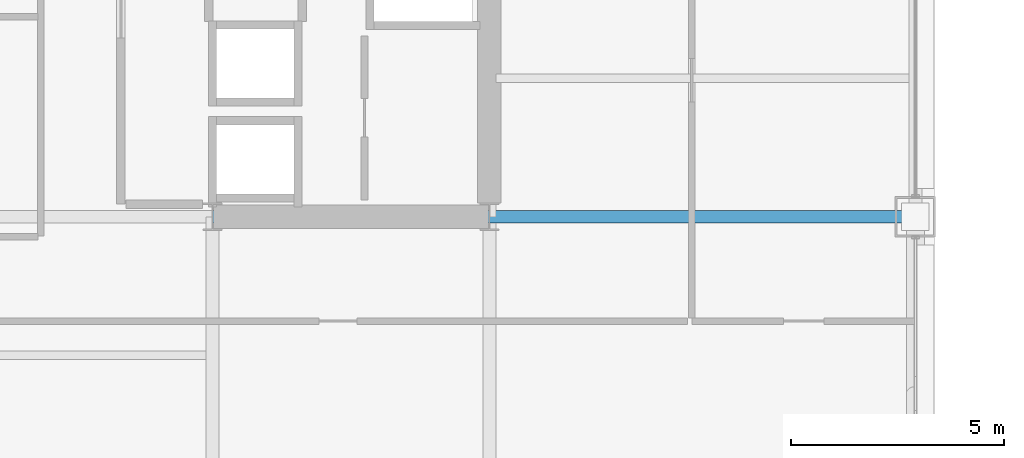
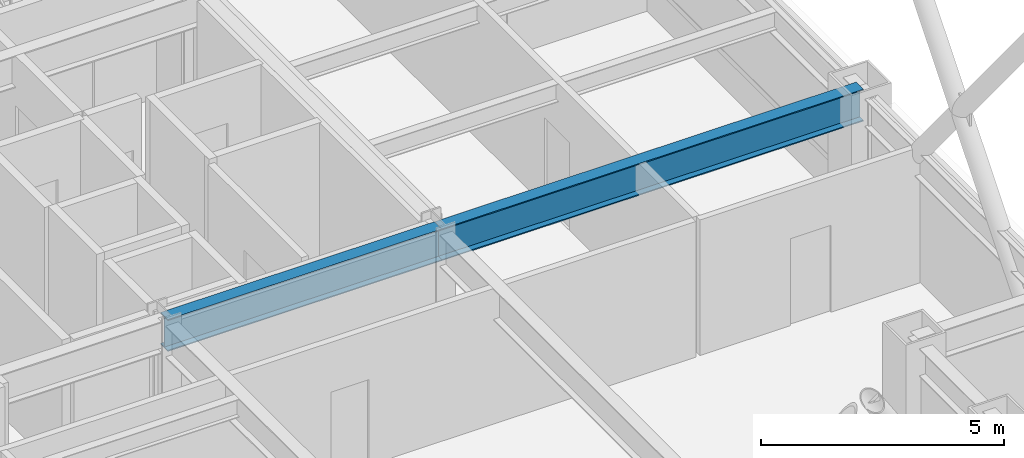
# One storey, part 13 of 34: 2 beams.
"""IFC4 building model written with IfcOpenShell, lengths in metres."""

from ifc_helpers import new_model, si_unit, direction, frame, origin, origin_2d, place, context, subcontext, project, spatial, i_section, extrude, material, material_profile, profile_set, type_object, element, save


model = new_model("IFC4")

# Units and contexts
model_context = context("Model", 3, precision=1e-05, world=origin(), true_north=direction((0.0, 1.0)))
body_context = subcontext(model_context, "Body", "Model", "MODEL_VIEW")
ifc_project = project(units=[si_unit("LENGTHUNIT", "METRE"), si_unit("AREAUNIT", "SQUARE_METRE"), si_unit("VOLUMEUNIT", "CUBIC_METRE"), si_unit("PLANEANGLEUNIT", "RADIAN"), si_unit("MASSUNIT", "GRAM", prefix="KILO")], contexts=[model_context])

# Site, building, storey
site_placement = place(None, origin())
site = spatial("IfcSite", under=ifc_project, at=site_placement, CompositionType="ELEMENT")
building_placement = place(site_placement, origin())
building = spatial("IfcBuilding", under=site, at=building_placement, Name="Brelmoor Portico Tower", CompositionType="ELEMENT")
storey_placement = place(building_placement, frame((0.0, 0.0, 45.60009765625)))
storey = spatial("IfcBuildingStorey", under=building, at=storey_placement, Name="L11", CompositionType="ELEMENT", Elevation=45.60009765625)

# Beams
ifc_material = material(Name="Steel Q355B", Category="steel")
ifc_material_profile = material_profile(ifc_material, i_section(OverallWidth=0.300048828125, OverallDepth=0.800048828125, WebThickness=0.013916015625, FlangeThickness=0.02587890625, at=origin_2d()), Name="HN 800x300x14x26")
ifc_profile_set = profile_set([ifc_material_profile], Name="Steel Q355B")
beam_type = type_object("IfcBeamType", Name="BM-PG-800", PredefinedType="BEAM", material=ifc_profile_set)
beam_1_placement = place(storey_placement, frame((8.050048828125, -9.75, 3.0), z_axis=(1.0, 0.0, 0.0), x_axis=(0.0, 1.0, 0.0)))
element("IfcBeam", 1, at=beam_1_placement, inside=storey, type_object=beam_type, Name="L11 Primary Floor Girder PG-22", PredefinedType="BEAM", context=body_context, shape_type="SweptSolid", body=[
    extrude(i_section(OverallWidth=0.300048828125, OverallDepth=0.800048828125, WebThickness=0.013916015625, FlangeThickness=0.02587890625, at=origin_2d()), origin(), (0.0, 0.0, 1.0), 6.5),
])
beam_2_placement = place(storey_placement, frame((14.550048828125, -9.75, 3.0), z_axis=(1.0, 0.0, 0.0), x_axis=(0.0, 1.0, 0.0)))
element("IfcBeam", 2, at=beam_2_placement, inside=storey, type_object=beam_type, Name="L11 Primary Floor Girder PG-23", PredefinedType="BEAM", context=body_context, shape_type="SweptSolid", body=[
    extrude(i_section(OverallWidth=0.300048828125, OverallDepth=0.800048828125, WebThickness=0.013916015625, FlangeThickness=0.02587890625, at=origin_2d()), origin(), (0.0, 0.0, 1.0), 10.0),
])

save(model, "model.ifc")
